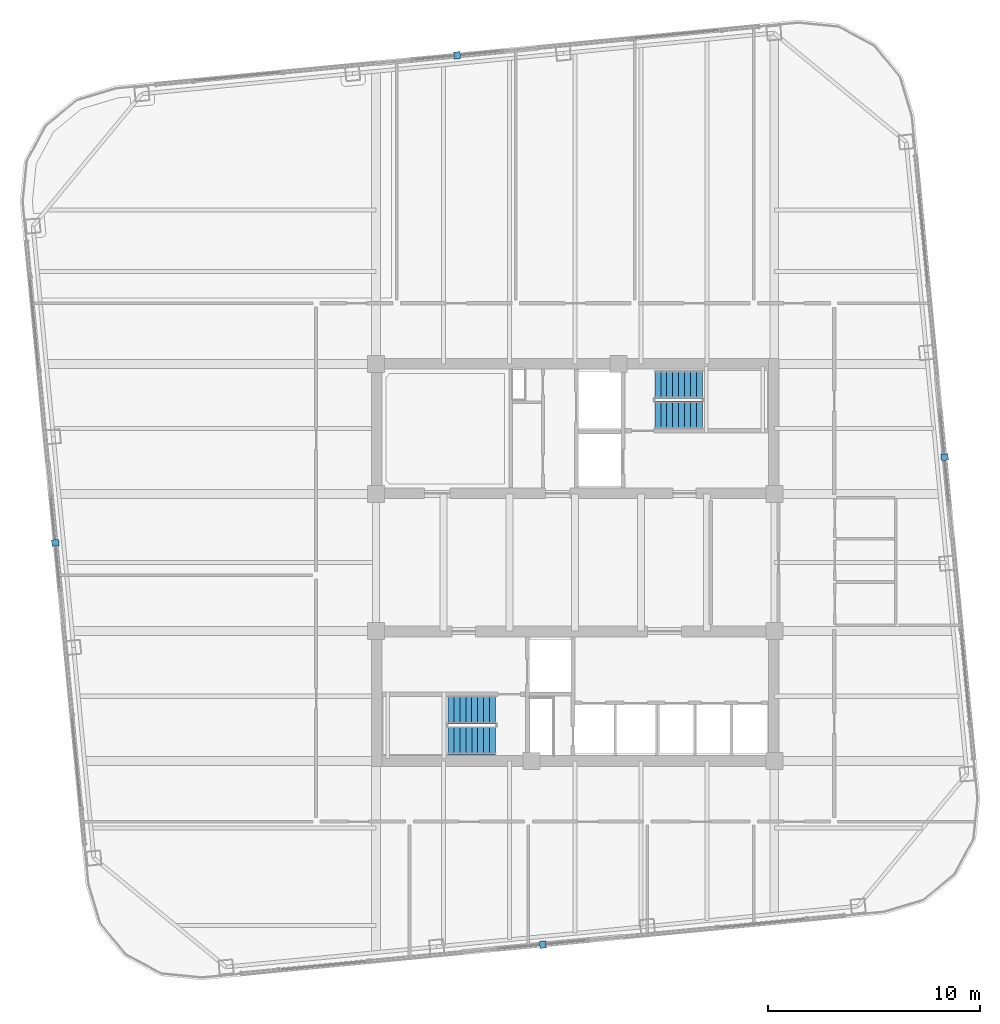
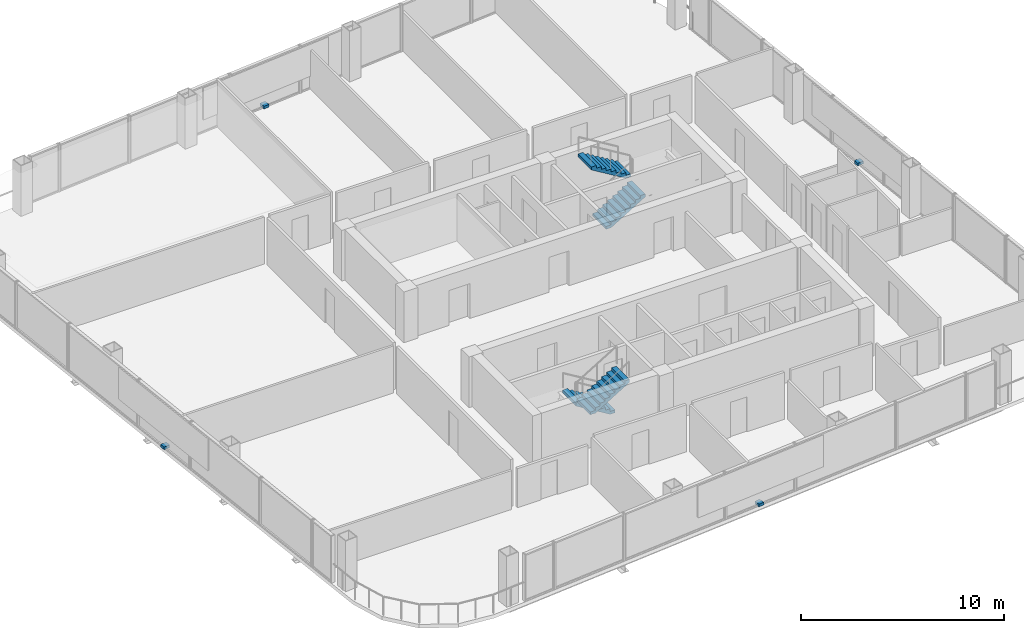
# One storey, part 19 of 22: 4 discrete accessories, 4 stair flights, 2 elements without a shape of their own.
"""IFC4 building model written with IfcOpenShell, lengths in metres."""

from ifc_helpers import new_model, si_unit, direction, frame, origin, origin_2d, place, context, subcontext, project, spatial, polyline, rectangle, outline, extrude, material, type_object, element, aggregate, save


model = new_model("IFC4")

# Units and contexts
model_context = context("Model", 3, precision=1e-05, world=origin(), true_north=direction((0.0, 1.0)))
body_context = subcontext(model_context, "Body", "Model", "MODEL_VIEW")
ifc_project = project(units=[si_unit("LENGTHUNIT", "METRE"), si_unit("AREAUNIT", "SQUARE_METRE"), si_unit("VOLUMEUNIT", "CUBIC_METRE"), si_unit("PLANEANGLEUNIT", "RADIAN"), si_unit("MASSUNIT", "GRAM", prefix="KILO")], contexts=[model_context])

# Site, building, storey
site_placement = place(None, origin())
site = spatial("IfcSite", under=ifc_project, at=site_placement, CompositionType="ELEMENT")
building_placement = place(site_placement, origin())
building = spatial("IfcBuilding", under=site, at=building_placement, Name="Qhalaya Broadcast Tower", CompositionType="ELEMENT")
storey_placement = place(building_placement, frame((0.0, 0.0, 171.39990234375)))
storey = spatial("IfcBuildingStorey", under=building, at=storey_placement, Name="L50", CompositionType="ELEMENT", Elevation=171.39990234375)

# Stair, stair flights
ifc_material_1 = material(Name="Concrete C40/50", Category="concrete")
stair_type = type_object("IfcStairType", Name="Protected Dogleg Core Stair 3150", PredefinedType="TWO_STRAIGHT_RUN_STAIR", material=ifc_material_1)
stair_1_placement = place(storey_placement, origin())
stair_1 = element("IfcStair", 1, at=stair_1_placement, inside=storey, type_object=stair_type, Name="L50 North Core Exit Stair ST-1", PredefinedType="TWO_STRAIGHT_RUN_STAIR")
ifc_material_2 = material(Name="Precast Concrete C40/50", Category="concrete")
stair_flight_type = type_object("IfcStairFlightType", Name="Precast Concrete Stair Flight 3150", PredefinedType="STRAIGHT", material=ifc_material_2)
stair_flight_1_placement = place(storey_placement, frame((3.75, 7.5400390625, 0.0), z_axis=(0.0, 0.0, 1.0), x_axis=(1.0, 0.0, 0.0)))
stair_flight_1 = element("IfcStairFlight", 2, at=stair_flight_1_placement, type_object=stair_flight_type, Name="ST-1 flight 1", NumberOfRisers=9, NumberOfTreads=8, PredefinedType="STRAIGHT", RiserHeight=0.169444444, TreadLength=0.28, context=body_context, shape_type="SweptSolid", body=[
    extrude(outline(polyline([(0.0, 0.0), (0.0, 0.16943359375), (0.280029296875, 0.16943359375), (0.280029296875, 0.3388671875), (0.56005859375, 0.3388671875), (0.56005859375, 0.50830078125), (0.840087890625, 0.50830078125), (0.840087890625, 0.677734375), (1.1201171875, 0.677734375), (1.1201171875, 0.84716796875), (1.39990234375, 0.84716796875), (1.39990234375, 1.0166015625), (1.679931640625, 1.0166015625), (1.679931640625, 1.18603515625), (1.9599609375, 1.18603515625), (1.9599609375, 1.35546875), (2.239990234375, 1.35546875), (2.239990234375, 1.52490234375), (2.239990234375, 1.180419921875), (0.28955078125, 0.0), (0.0, 0.0)])), frame((0.0, 0.66015625, 0.0), z_axis=(0.0, -1.0, 0.0), x_axis=(1.0, 0.0, 0.0)), (0.0, 0.0, 1.0), 1.320068359375),
])
stair_flight_2_placement = place(storey_placement, frame((5.989990234375, 8.97998046875, 1.525146484375), z_axis=(0.0, 0.0, 1.0), x_axis=(-1.0, 0.0, 0.0)))
stair_flight_2 = element("IfcStairFlight", 3, at=stair_flight_2_placement, type_object=stair_flight_type, Name="ST-1 flight 2", NumberOfRisers=9, NumberOfTreads=8, PredefinedType="STRAIGHT", RiserHeight=0.169444444, TreadLength=0.28, context=body_context, shape_type="SweptSolid", body=[
    extrude(outline(polyline([(0.0, 0.0), (0.0, 0.16943359375), (0.280029296875, 0.16943359375), (0.280029296875, 0.3388671875), (0.56005859375, 0.3388671875), (0.56005859375, 0.50830078125), (0.840087890625, 0.50830078125), (0.840087890625, 0.677734375), (1.1201171875, 0.677734375), (1.1201171875, 0.84716796875), (1.39990234375, 0.84716796875), (1.39990234375, 1.0166015625), (1.679931640625, 1.0166015625), (1.679931640625, 1.18603515625), (1.9599609375, 1.18603515625), (1.9599609375, 1.35546875), (2.239990234375, 1.35546875), (2.239990234375, 1.52490234375), (2.239990234375, 1.180419921875), (0.28955078125, 0.0), (0.0, 0.0)])), frame((0.0, 0.66015625, 0.0), z_axis=(0.0, -1.0, 0.0), x_axis=(1.0, 0.0, 0.0)), (0.0, 0.0, 1.0), 1.320068359375),
])
aggregate(stair_1, [stair_flight_1, stair_flight_2])

stair_2_placement = place(storey_placement, origin())
stair_2 = element("IfcStair", 4, at=stair_2_placement, inside=storey, type_object=stair_type, Name="L50 South Core Exit Stair ST-2", PredefinedType="TWO_STRAIGHT_RUN_STAIR")
stair_flight_3_placement = place(storey_placement, frame((-3.75, -6.340087890625, 0.0), z_axis=(0.0, 0.0, 1.0), x_axis=(-1.0, 0.0, 0.0)))
stair_flight_3 = element("IfcStairFlight", 5, at=stair_flight_3_placement, type_object=stair_flight_type, Name="ST-2 flight 1", NumberOfRisers=9, NumberOfTreads=8, PredefinedType="STRAIGHT", RiserHeight=0.169444444, TreadLength=0.28, context=body_context, shape_type="SweptSolid", body=[
    extrude(outline(polyline([(0.0, 0.0), (0.0, 0.16943359375), (0.280029296875, 0.16943359375), (0.280029296875, 0.3388671875), (0.56005859375, 0.3388671875), (0.56005859375, 0.50830078125), (0.840087890625, 0.50830078125), (0.840087890625, 0.677734375), (1.1201171875, 0.677734375), (1.1201171875, 0.84716796875), (1.39990234375, 0.84716796875), (1.39990234375, 1.0166015625), (1.679931640625, 1.0166015625), (1.679931640625, 1.18603515625), (1.9599609375, 1.18603515625), (1.9599609375, 1.35546875), (2.239990234375, 1.35546875), (2.239990234375, 1.52490234375), (2.239990234375, 1.180419921875), (0.28955078125, 0.0), (0.0, 0.0)])), frame((0.0, 0.66015625, 0.0), z_axis=(0.0, -1.0, 0.0), x_axis=(1.0, 0.0, 0.0)), (0.0, 0.0, 1.0), 1.320068359375),
])
stair_flight_4_placement = place(storey_placement, frame((-5.989990234375, -7.780029296875, 1.525146484375), z_axis=(0.0, 0.0, 1.0), x_axis=(1.0, 0.0, 0.0)))
stair_flight_4 = element("IfcStairFlight", 6, at=stair_flight_4_placement, type_object=stair_flight_type, Name="ST-2 flight 2", NumberOfRisers=9, NumberOfTreads=8, PredefinedType="STRAIGHT", RiserHeight=0.169444444, TreadLength=0.28, context=body_context, shape_type="SweptSolid", body=[
    extrude(outline(polyline([(0.0, 0.0), (0.0, 0.16943359375), (0.280029296875, 0.16943359375), (0.280029296875, 0.3388671875), (0.56005859375, 0.3388671875), (0.56005859375, 0.50830078125), (0.840087890625, 0.50830078125), (0.840087890625, 0.677734375), (1.1201171875, 0.677734375), (1.1201171875, 0.84716796875), (1.39990234375, 0.84716796875), (1.39990234375, 1.0166015625), (1.679931640625, 1.0166015625), (1.679931640625, 1.18603515625), (1.9599609375, 1.18603515625), (1.9599609375, 1.35546875), (2.239990234375, 1.35546875), (2.239990234375, 1.52490234375), (2.239990234375, 1.180419921875), (0.28955078125, 0.0), (0.0, 0.0)])), frame((0.0, 0.66015625, 0.0), z_axis=(0.0, -1.0, 0.0), x_axis=(1.0, 0.0, 0.0)), (0.0, 0.0, 1.0), 1.320068359375),
])
aggregate(stair_2, [stair_flight_3, stair_flight_4])

# Discrete accessories
ifc_material_3 = material(Name="Structural Steel ASTM A572 Grade 50", Category="steel")
discrete_accessory_type = type_object("IfcDiscreteAccessoryType", Name="Facade Baguette Support Bracket BRK-01", PredefinedType="BRACKET", material=ifc_material_3)
for number, where, z_axis, x_axis, name in (
    (7, (-1.5244140625, -17.393310546875, 0.0), (0.0, 0.0, 1.0), (0.995396198367, 0.09584575252, 0.0), "L50 Baguette Support Bracket S"),
    (8, (17.393310546875, 5.5556640625, 0.0), (0.0, 0.0, 1.0), (-0.09584575252, 0.995396198367, 0.0), "L50 Baguette Support Bracket E"),
    (9, (-5.5556640625, 24.47314453125, 0.0), (0.0, 0.0, 1.0), (-0.995396198367, -0.09584575252, 0.0), "L50 Baguette Support Bracket N"),
    (10, (-24.47314453125, 1.5244140625, 0.0), (0.0, 0.0, 1.0), (0.09584575252, -0.995396198367, 0.0), "L50 Baguette Support Bracket W"),
):
    element("IfcDiscreteAccessory", number, at=place(storey_placement, frame(where, z_axis=z_axis, x_axis=x_axis)), inside=storey, type_object=discrete_accessory_type, Name=name, PredefinedType="BRACKET", context=body_context, shape_type="SweptSolid", body=[
        extrude(rectangle(XDim=0.300048828125, YDim=0.340087890625, at=origin_2d()), origin(), (0.0, 0.0, 1.0), 0.159912109375),
    ])

save(model, "model.ifc")
